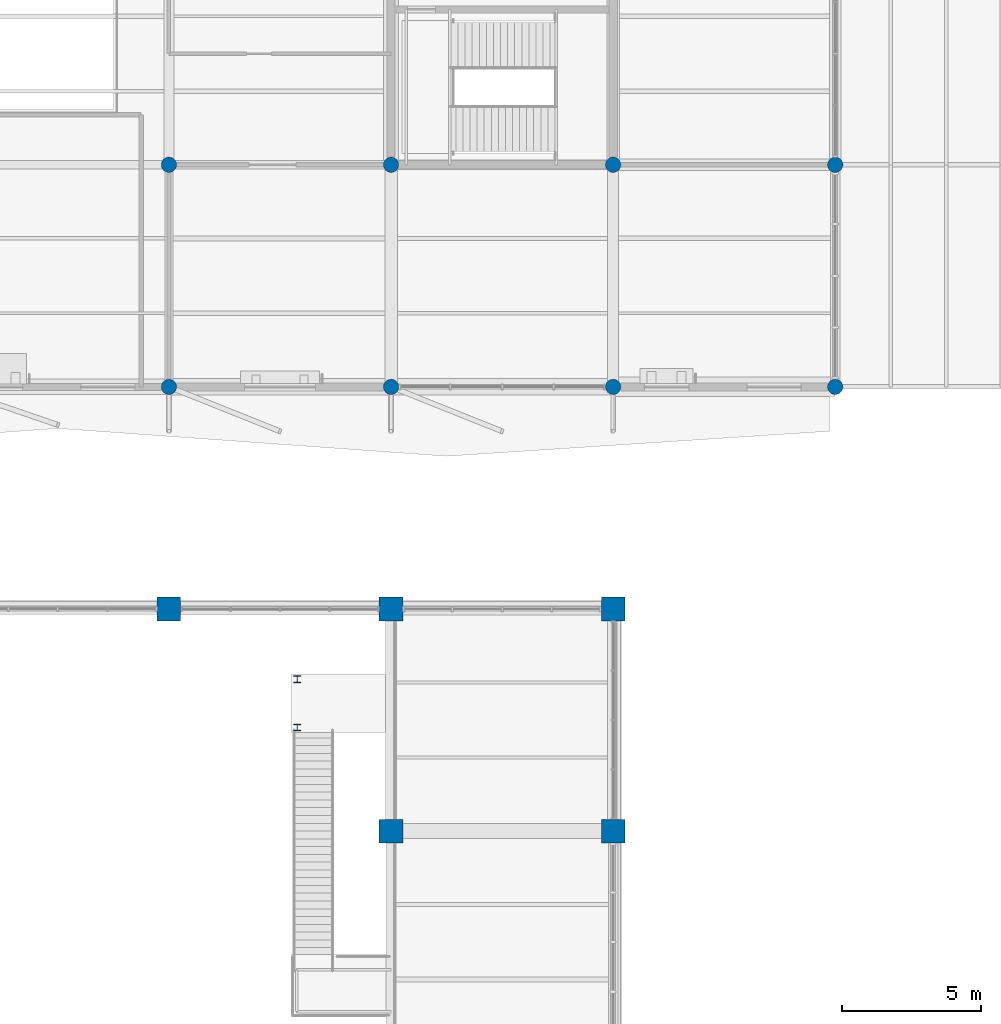
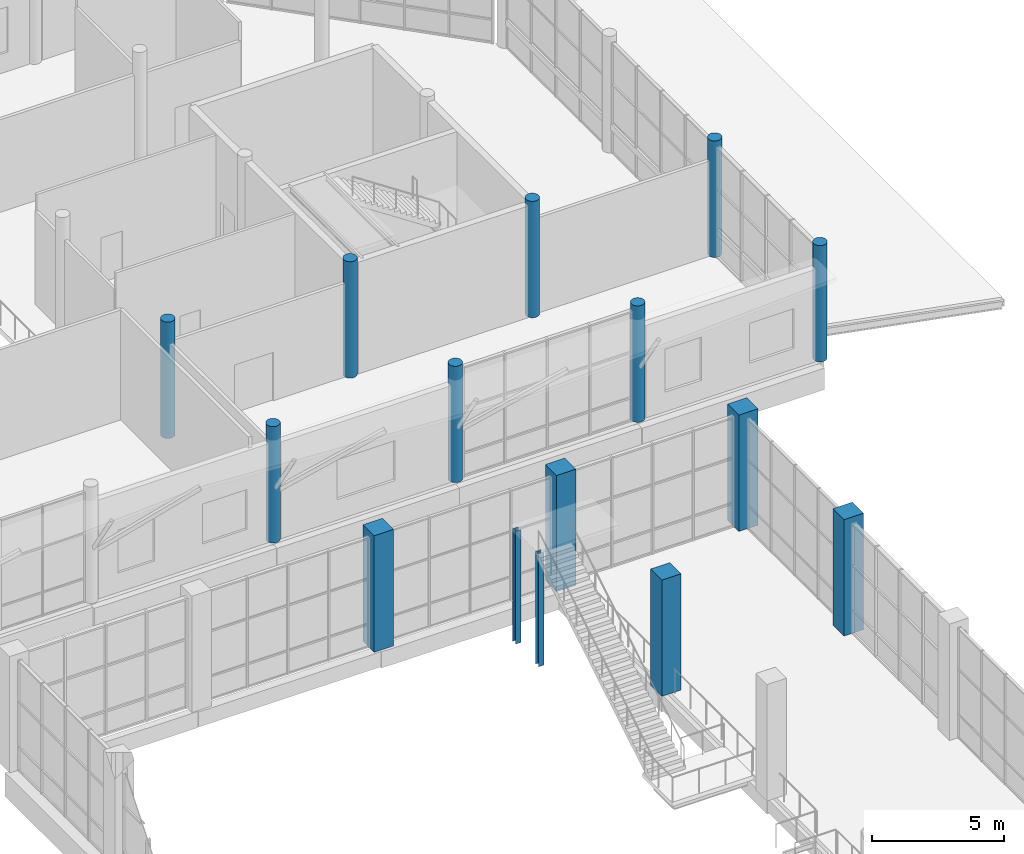
# One storey, part 7 of 122: 15 columns.
"""IFC4 building model written with IfcOpenShell, lengths in metres."""

from ifc_helpers import new_model, si_unit, direction, frame, origin, origin_2d, place, context, subcontext, project, spatial, rectangle, circle, i_section, extrude, material, material_profile, profile_set, type_object, element, save


model = new_model("IFC4")

# Units and contexts
model_context = context("Model", 3, precision=1e-05, world=origin(), true_north=direction((0.0, 1.0)))
body_context = subcontext(model_context, "Body", "Model", "MODEL_VIEW")
ifc_project = project(units=[si_unit("LENGTHUNIT", "METRE"), si_unit("AREAUNIT", "SQUARE_METRE"), si_unit("VOLUMEUNIT", "CUBIC_METRE"), si_unit("PLANEANGLEUNIT", "RADIAN"), si_unit("MASSUNIT", "GRAM", prefix="KILO")], contexts=[model_context])

# Site, building, storey
site_placement = place(None, origin())
site = spatial("IfcSite", under=ifc_project, at=site_placement, CompositionType="ELEMENT")
building_placement = place(site_placement, origin())
building = spatial("IfcBuilding", under=site, at=building_placement, Name="Tenunan Teduh Sports Hall", CompositionType="ELEMENT")
storey_placement = place(building_placement, frame((0.0, 0.0, 5.39990234375)))
storey = spatial("IfcBuildingStorey", under=building, at=storey_placement, Name="L01", CompositionType="ELEMENT", Elevation=5.39990234375)

# Columns
ifc_material_1 = material(Name="Concrete C40/50", Category="concrete")
ifc_material_profile_1 = material_profile(ifc_material_1, rectangle(XDim=0.85009765625, YDim=0.85009765625, at=origin_2d()), Name="RC 850x850")
ifc_profile_set_1 = profile_set([ifc_material_profile_1], Name="Concrete C40/50")
column_type_1 = type_object("IfcColumnType", Name="COL-RC-850", PredefinedType="COLUMN", material=ifc_profile_set_1)
for number, where, z_axis, x_axis, name in (
    (1, (138.0, 78.0, 0.0), (0.0, 0.0, 1.0), (1.0, 0.0, 0.0), "COL-C-04-L01-180"),
    (2, (146.0, 70.0, 0.0), (0.0, 0.0, 1.0), (1.0, 0.0, 0.0), "COL-C-04-L01-192"),
    (3, (146.0, 78.0, 0.0), (0.0, 0.0, 1.0), (1.0, 0.0, 0.0), "COL-C-04-L01-193"),
    (4, (154.0, 70.0, 0.0), (0.0, 0.0, 1.0), (1.0, 0.0, 0.0), "COL-C-04-L01-205"),
    (5, (154.0, 78.0, 0.0), (0.0, 0.0, 1.0), (1.0, 0.0, 0.0), "COL-C-04-L01-206"),
):
    element("IfcColumn", number, at=place(storey_placement, frame(where, z_axis=z_axis, x_axis=x_axis)), inside=storey, type_object=column_type_1, Name=name, PredefinedType="COLUMN", context=body_context, shape_type="SweptSolid", body=[
        extrude(rectangle(XDim=0.85009765625, YDim=0.85009765625, at=origin_2d()), origin(), (0.0, 0.0, 1.0), 5.400146484375),
    ])
ifc_material_2 = material(Name="Concrete C40/50", Category="concrete")
ifc_material_profile_2 = material_profile(ifc_material_2, circle(Radius=0.27490234375, at=origin_2d()), Name="RCC D550")
ifc_profile_set_2 = profile_set([ifc_material_profile_2], Name="Concrete C40/50")
column_type_2 = type_object("IfcColumnType", Name="COL-RCC-550", PredefinedType="COLUMN", material=ifc_profile_set_2)
for number, where, z_axis, x_axis, name in (
    (6, (138.0, 86.0, 0.0), (0.0, 0.0, 1.0), (1.0, 0.0, 0.0), "COL-C-22-L01-181"),
    (7, (138.0, 94.0, 0.0), (0.0, 0.0, 1.0), (1.0, 0.0, 0.0), "COL-C-22-L01-182"),
    (8, (146.0, 86.0, 0.0), (0.0, 0.0, 1.0), (1.0, 0.0, 0.0), "COL-C-22-L01-194"),
    (9, (146.0, 94.0, 0.0), (0.0, 0.0, 1.0), (1.0, 0.0, 0.0), "COL-C-22-L01-195"),
    (10, (154.0, 86.0, 0.0), (0.0, 0.0, 1.0), (1.0, 0.0, 0.0), "COL-C-22-L01-207"),
    (11, (154.0, 94.0, 0.0), (0.0, 0.0, 1.0), (1.0, 0.0, 0.0), "COL-C-22-L01-208"),
    (12, (162.0, 86.0, 0.0), (0.0, 0.0, 1.0), (1.0, 0.0, 0.0), "COL-C-22-L01-216"),
    (13, (162.0, 94.0, 0.0), (0.0, 0.0, 1.0), (1.0, 0.0, 0.0), "COL-C-22-L01-217"),
):
    element("IfcColumn", number, at=place(storey_placement, frame(where, z_axis=z_axis, x_axis=x_axis)), inside=storey, type_object=column_type_2, Name=name, PredefinedType="COLUMN", context=body_context, shape_type="SweptSolid", body=[
        extrude(circle(Radius=0.27490234375, at=origin_2d()), origin(), (0.0, 0.0, 1.0), 5.400146484375),
    ])
ifc_material_3 = material(Name="Steel S355", Category="steel")
ifc_material_profile_3 = material_profile(ifc_material_3, i_section(OverallWidth=0.239990234375, OverallDepth=0.239990234375, WebThickness=0.010009765625, FlangeThickness=0.01708984375, FilletRadius=0.02099609375, at=origin_2d()), Name="HEB 240")
ifc_profile_set_3 = profile_set([ifc_material_profile_3], Name="Steel S355")
column_type_3 = type_object("IfcColumnType", Name="COL-ST-HEB240", PredefinedType="COLUMN", material=ifc_profile_set_3)
for number, where, z_axis, x_axis, name in (
    (14, (142.6201171875, 73.72998046875, 0.0), (0.0, 0.0, 1.0), (1.0, 0.0, 0.0), "COL-SC-04-FST-8-1-L01"),
    (15, (142.6201171875, 75.469970703125, 0.0), (0.0, 0.0, 1.0), (1.0, 0.0, 0.0), "COL-SC-04-FST-8-2-L01"),
):
    element("IfcColumn", number, at=place(storey_placement, frame(where, z_axis=z_axis, x_axis=x_axis)), inside=storey, type_object=column_type_3, Name=name, PredefinedType="COLUMN", context=body_context, shape_type="SweptSolid", body=[
        extrude(i_section(OverallWidth=0.239990234375, OverallDepth=0.239990234375, WebThickness=0.010009765625, FlangeThickness=0.01708984375, FilletRadius=0.02099609375, at=origin_2d()), origin(), (0.0, 0.0, 1.0), 5.22021484375),
    ])

save(model, "model.ifc")
